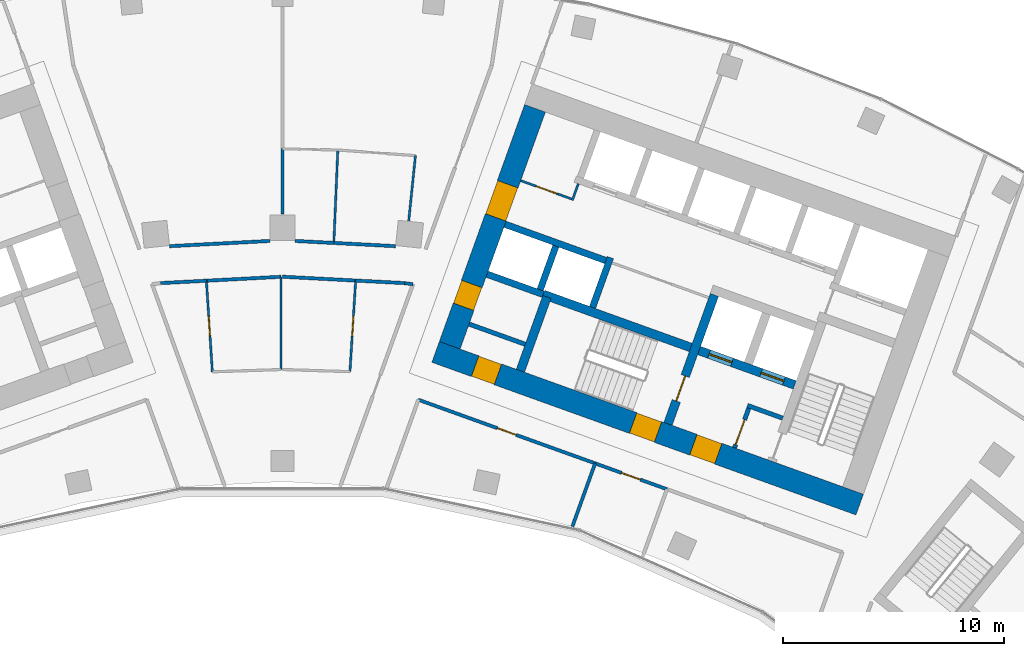
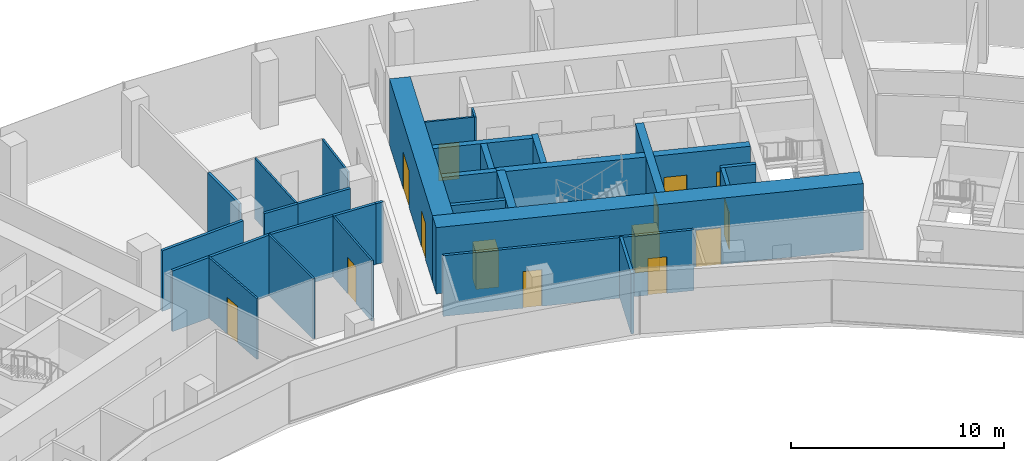
# One storey, part 13 of 18: 31 walls, 14 doors, 14 openings.
"""IFC4 building model written with IfcOpenShell, lengths in metres."""

from ifc_helpers import new_model, si_unit, direction, frame, frame_2d, origin, place, context, subcontext, project, spatial, rectangle, extrude, material, layer, layer_set, type_object, element, fill, save


model = new_model("IFC4")

# Units and contexts
model_context = context("Model", 3, precision=1e-05, world=origin(), true_north=direction((0.0, 1.0)))
body_context = subcontext(model_context, "Body", "Model", "MODEL_VIEW")
ifc_project = project(units=[si_unit("LENGTHUNIT", "METRE"), si_unit("AREAUNIT", "SQUARE_METRE"), si_unit("VOLUMEUNIT", "CUBIC_METRE"), si_unit("PLANEANGLEUNIT", "RADIAN"), si_unit("MASSUNIT", "GRAM", prefix="KILO")], contexts=[model_context])

# Site, building, storey
site_placement = place(None, origin())
site = spatial("IfcSite", under=ifc_project, at=site_placement, CompositionType="ELEMENT")
building_placement = place(site_placement, origin())
building = spatial("IfcBuilding", under=site, at=building_placement, Name="Stone Belt Terrace Tower", CompositionType="ELEMENT")
storey_placement = place(building_placement, frame((0.0, 0.0, 239.0)))
storey = spatial("IfcBuildingStorey", under=building, at=storey_placement, Name="L58", CompositionType="ELEMENT", Elevation=239.0)

# Wall
ifc_material_1 = material(Name="Plasterboard partition")
ifc_layer_1 = layer(ifc_material_1, 0.10009765625)
ifc_layer_set_1 = layer_set([ifc_layer_1], Name="Core partition 100")
wall_type_1 = type_object("IfcWallType", Name="Core partition 100", PredefinedType="PARTITIONING", material=ifc_layer_set_1)
wall_1_placement = place(storey_placement, frame((13.115966796875, 56.230712890625, 0.0), z_axis=(0.0, 0.0, 1.0), x_axis=(0.338481684961, 0.940972979923, 0.0)))
element("IfcWall", 1, at=wall_1_placement, inside=storey, type_object=wall_type_1, Name="Core B wall", PredefinedType="PARTITIONING", context=body_context, shape_type="SweptSolid", body=[
    extrude(rectangle(XDim=0.7998046875, YDim=0.10009765625, at=frame_2d((0.39990234375, 0.0))), origin(), (0.0, 0.0, 1.0), 3.47998046875),
])

# Wall, opening, door
wall_2_placement = place(storey_placement, frame((13.085693359375, 56.294677734375, 0.0), z_axis=(0.0, 0.0, 1.0), x_axis=(-0.940922976849, 0.338620660383, 0.0)))
wall_2 = element("IfcWall", 2, at=wall_2_placement, inside=storey, type_object=wall_type_1, Name="Core B wall", PredefinedType="PARTITIONING", context=body_context, shape_type="SweptSolid", body=[
    extrude(rectangle(XDim=2.449951171875, YDim=0.10009765625, at=frame_2d((1.22509765625, 0.0))), origin(), (0.0, 0.0, 1.0), 3.47998046875),
])
opening_1_placement = place(wall_2_placement, frame((0.699951171875, 0.0, 0.0)))
opening_1 = element("IfcOpeningElement", 3, at=opening_1_placement, cuts=wall_2, Name="Opening L58-C12", PredefinedType="OPENING", context=body_context, shape_type="SweptSolid", body=[
    extrude(rectangle(XDim=1.0, YDim=2.10009765625, at=frame_2d((0.5, 1.050048828125))), frame((0.0, 0.06005859375, 0.0), z_axis=(0.0, -1.0, 0.0), x_axis=(1.0, 0.0, 0.0)), (0.0, 0.0, 1.0), 0.1201171875),
])
ifc_material_2 = material(Name="Timber door leaf", Category="wood")
door_type_1 = type_object("IfcDoorType", Name="Core room door 1000", OperationType="SINGLE_SWING_LEFT", PredefinedType="DOOR", material=ifc_material_2)
door_1_placement = place(opening_1_placement, origin())
door_1 = element("IfcDoor", 4, at=door_1_placement, inside=storey, type_object=door_type_1, Name="Door to Communications hub room core B", OperationType="SINGLE_SWING_LEFT", OverallHeight=2.10009765625, OverallWidth=1.0, PredefinedType="DOOR", context=body_context, shape_type="SweptSolid", body=[
    extrude(rectangle(XDim=1.0, YDim=2.10009765625, at=frame_2d((0.5, 1.050048828125))), frame((0.0, 0.02490234375, 0.0), z_axis=(0.0, -1.0, 0.0), x_axis=(1.0, 0.0, 0.0)), (0.0, 0.0, 1.0), 0.050048828125),
])
fill(opening_1, door_1)

# Wall, openings, doors
ifc_material_3 = material(Name="Concrete B60", Category="concrete")
ifc_layer_2 = layer(ifc_material_3, 1.0)
ifc_layer_set_2 = layer_set([ifc_layer_2], Name="Core wall 1000 B60")
wall_type_2 = type_object("IfcWallType", Name="Core wall 1000 B60", PredefinedType="SHEAR", material=ifc_layer_set_2)
wall_3_placement = place(storey_placement, frame((6.927490234375, 49.370849609375, 0.0), z_axis=(0.0, 0.0, 1.0), x_axis=(0.940921428504, -0.338624962727, 0.0)))
wall_3 = element("IfcWall", 5, at=wall_3_placement, inside=storey, type_object=wall_type_2, Name="Core B wall concave L58", PredefinedType="SHEAR", context=body_context, shape_type="SweptSolid", body=[
    extrude(rectangle(XDim=20.400146484375, YDim=1.0, at=frame_2d((10.2001953125, 0.0))), origin(), (0.0, 0.0, 1.0), 3.800048828125),
])
opening_2_placement = place(wall_3_placement, frame((12.39990234375, 0.0, 0.0)))
opening_2 = element("IfcOpeningElement", 6, at=opening_2_placement, cuts=wall_3, Name="Opening L58-C18", PredefinedType="OPENING", context=body_context, shape_type="SweptSolid", body=[
    extrude(rectangle(XDim=1.199951171875, YDim=2.10009765625, at=frame_2d((0.60009765625, 1.050048828125))), frame((0.0, 0.510009765625, 0.0), z_axis=(0.0, -1.0, 0.0), x_axis=(1.0, 0.0, 0.0)), (0.0, 0.0, 1.0), 1.02001953125),
])
opening_3_placement = place(wall_3_placement, frame((9.5, 0.0, 0.0)))
opening_3 = element("IfcOpeningElement", 7, at=opening_3_placement, cuts=wall_3, Name="Opening L58-C20", PredefinedType="OPENING", context=body_context, shape_type="SweptSolid", body=[
    extrude(rectangle(XDim=1.199951171875, YDim=2.10009765625, at=frame_2d((0.60009765625, 1.050048828125))), frame((0.0, 0.510009765625, 0.0), z_axis=(0.0, -1.0, 0.0), x_axis=(1.0, 0.0, 0.0)), (0.0, 0.0, 1.0), 1.02001953125),
])
opening_4_placement = place(wall_3_placement, frame((1.89990234375, 0.0, 0.0)))
opening_4 = element("IfcOpeningElement", 8, at=opening_4_placement, cuts=wall_3, Name="Opening L58-C22", PredefinedType="OPENING", context=body_context, shape_type="SweptSolid", body=[
    extrude(rectangle(XDim=1.10009765625, YDim=2.10009765625, at=frame_2d((0.550048828125, 1.050048828125))), frame((0.0, 0.510009765625, 0.0), z_axis=(0.0, -1.0, 0.0), x_axis=(1.0, 0.0, 0.0)), (0.0, 0.0, 1.0), 1.02001953125),
])
door_type_2 = type_object("IfcDoorType", Name="Core room door 1100", OperationType="SINGLE_SWING_LEFT", PredefinedType="DOOR", material=ifc_material_2)
door_2_placement = place(opening_4_placement, origin())
door_2 = element("IfcDoor", 9, at=door_2_placement, inside=storey, type_object=door_type_2, Name="Door to Pipe riser core B", OperationType="SINGLE_SWING_LEFT", OverallHeight=2.10009765625, OverallWidth=1.10009765625, PredefinedType="DOOR", context=body_context, shape_type="SweptSolid", body=[
    extrude(rectangle(XDim=1.10009765625, YDim=2.10009765625, at=frame_2d((0.550048828125, 1.050048828125))), frame((0.0, 0.47998046875, 0.0), z_axis=(0.0, -1.0, 0.0), x_axis=(1.0, 0.0, 0.0)), (0.0, 0.0, 1.0), 0.9599609375),
])
fill(opening_4, door_2)
ifc_material_4 = material(Name="Steel door leaf", Category="steel")
door_type_3 = type_object("IfcDoorType", Name="Fire-fighting lobby door 1200", OperationType="SINGLE_SWING_LEFT", PredefinedType="DOOR", material=ifc_material_4)
door_3_placement = place(opening_2_placement, origin())
door_3 = element("IfcDoor", 10, at=door_3_placement, inside=storey, type_object=door_type_3, Name="Fire-fighting lobby door core B", OperationType="SINGLE_SWING_LEFT", OverallHeight=2.10009765625, OverallWidth=1.199951171875, PredefinedType="DOOR", context=body_context, shape_type="SweptSolid", body=[
    extrude(rectangle(XDim=1.199951171875, YDim=2.10009765625, at=frame_2d((0.60009765625, 1.050048828125))), frame((0.0, 0.47998046875, 0.0), z_axis=(0.0, -1.0, 0.0), x_axis=(1.0, 0.0, 0.0)), (0.0, 0.0, 1.0), 0.9599609375),
])
fill(opening_2, door_3)
door_type_4 = type_object("IfcDoorType", Name="Stair door 1200", OperationType="SINGLE_SWING_LEFT", PredefinedType="DOOR", material=ifc_material_4)
door_4_placement = place(opening_3_placement, origin())
door_4 = element("IfcDoor", 11, at=door_4_placement, inside=storey, type_object=door_type_4, Name="Stair 2 exit door core B", OperationType="SINGLE_SWING_RIGHT", OverallHeight=2.10009765625, OverallWidth=1.199951171875, PredefinedType="DOOR", context=body_context, shape_type="SweptSolid", body=[
    extrude(rectangle(XDim=1.199951171875, YDim=2.10009765625, at=frame_2d((0.60009765625, 1.050048828125))), frame((0.0, 0.47998046875, 0.0), z_axis=(0.0, -1.0, 0.0), x_axis=(1.0, 0.0, 0.0)), (0.0, 0.0, 1.0), 0.9599609375),
])
fill(opening_3, door_4)

wall_4_placement = place(storey_placement, frame((7.567138671875, 49.672119140625, 0.0), z_axis=(0.0, 0.0, 1.0), x_axis=(0.338625431531, 0.940921259788, 0.0)))
wall_4 = element("IfcWall", 12, at=wall_4_placement, inside=storey, type_object=wall_type_2, Name="Core B wall end_a L58", PredefinedType="SHEAR", context=body_context, shape_type="SweptSolid", body=[
    extrude(rectangle(XDim=11.400146484375, YDim=1.0, at=frame_2d((5.7001953125, 0.0))), origin(), (0.0, 0.0, 1.0), 3.800048828125),
])
opening_5_placement = place(wall_4_placement, frame((6.14990234375, 0.0, 0.0)))
opening_5 = element("IfcOpeningElement", 13, at=opening_5_placement, cuts=wall_4, Name="Opening L58-C15", PredefinedType="OPENING", context=body_context, shape_type="SweptSolid", body=[
    extrude(rectangle(XDim=1.60009765625, YDim=2.10009765625, at=frame_2d((0.800048828125, 1.050048828125))), frame((0.0, 0.510009765625, 0.0), z_axis=(0.0, -1.0, 0.0), x_axis=(1.0, 0.0, 0.0)), (0.0, 0.0, 1.0), 1.02001953125),
])
opening_6_placement = place(wall_4_placement, frame((1.85009765625, 0.0, 0.0)))
opening_6 = element("IfcOpeningElement", 14, at=opening_6_placement, cuts=wall_4, Name="Opening L58-C21", PredefinedType="OPENING", context=body_context, shape_type="SweptSolid", body=[
    extrude(rectangle(XDim=1.10009765625, YDim=2.10009765625, at=frame_2d((0.550048828125, 1.050048828125))), frame((0.0, 0.510009765625, 0.0), z_axis=(0.0, -1.0, 0.0), x_axis=(1.0, 0.0, 0.0)), (0.0, 0.0, 1.0), 1.02001953125),
])
door_5_placement = place(opening_6_placement, origin())
door_5 = element("IfcDoor", 15, at=door_5_placement, inside=storey, type_object=door_type_2, Name="Door to Accessible WC core B", OperationType="SINGLE_SWING_RIGHT", OverallHeight=2.10009765625, OverallWidth=1.10009765625, PredefinedType="DOOR", context=body_context, shape_type="SweptSolid", body=[
    extrude(rectangle(XDim=1.10009765625, YDim=2.10009765625, at=frame_2d((0.550048828125, 1.050048828125))), frame((0.0, 0.47998046875, 0.0), z_axis=(0.0, -1.0, 0.0), x_axis=(1.0, 0.0, 0.0)), (0.0, 0.0, 1.0), 0.9599609375),
])
fill(opening_6, door_5)
ifc_material_5 = material(Name="Glazed aluminium door leaf", Category="aluminium")
door_type_5 = type_object("IfcDoorType", Name="Lift lobby entrance door 1600", OperationType="DOUBLE_DOOR_SINGLE_SWING", PredefinedType="DOOR", material=ifc_material_5)
door_6_placement = place(opening_5_placement, origin())
door_6 = element("IfcDoor", 16, at=door_6_placement, inside=storey, type_object=door_type_5, Name="Lift lobby entrance door core B", OperationType="DOUBLE_DOOR_SINGLE_SWING", OverallHeight=2.10009765625, OverallWidth=1.60009765625, PredefinedType="DOOR", context=body_context, shape_type="SweptSolid", body=[
    extrude(rectangle(XDim=1.60009765625, YDim=2.10009765625, at=frame_2d((0.800048828125, 1.050048828125))), frame((0.0, 0.47998046875, 0.0), z_axis=(0.0, -1.0, 0.0), x_axis=(1.0, 0.0, 0.0)), (0.0, 0.0, 1.0), 0.9599609375),
])
fill(opening_5, door_6)

# Walls
ifc_material_6 = material(Name="Concrete B80", Category="concrete")
ifc_layer_3 = layer(ifc_material_6, 0.300048828125)
ifc_layer_set_3 = layer_set([ifc_layer_3], Name="Lift shaft wall 300")
wall_type_3 = type_object("IfcWallType", Name="Lift shaft wall 300", PredefinedType="SHEAR", material=ifc_layer_set_3)
wall_5_placement = place(storey_placement, frame((14.029052734375, 51.38525390625, 0.0), z_axis=(0.0, 0.0, 1.0), x_axis=(0.338661829791, 0.940908159728, 0.0)))
element("IfcWall", 17, at=wall_5_placement, inside=storey, type_object=wall_type_3, Name="Core B wall", PredefinedType="SHEAR", context=body_context, shape_type="SweptSolid", body=[
    extrude(rectangle(XDim=2.39990234375, YDim=0.300048828125, at=frame_2d((1.199951171875, 0.0))), origin(), (0.0, 0.0, 1.0), 3.47998046875),
])
wall_6_placement = place(storey_placement, frame((14.6328125, 53.506103515625, 0.0), z_axis=(0.0, 0.0, 1.0), x_axis=(-0.940931684323, 0.338596464007, 0.0)))
element("IfcWall", 18, at=wall_6_placement, inside=storey, type_object=wall_type_3, Name="Core B wall", PredefinedType="SHEAR", context=body_context, shape_type="SweptSolid", body=[
    extrude(rectangle(XDim=4.849609375, YDim=0.300048828125, at=frame_2d((2.4248046875, 0.0))), origin(), (0.0, 0.0, 1.0), 3.47998046875),
])
wall_7_placement = place(storey_placement, frame((11.797119140625, 51.975830078125, 0.0), z_axis=(0.0, 0.0, 1.0), x_axis=(-0.940910465161, 0.33865542451, 0.0)))
element("IfcWall", 19, at=wall_7_placement, inside=storey, type_object=wall_type_3, Name="Core B wall", PredefinedType="SHEAR", context=body_context, shape_type="SweptSolid", body=[
    extrude(rectangle(XDim=2.69970703125, YDim=0.300048828125, at=frame_2d((1.349853515625, 0.0))), origin(), (0.0, 0.0, 1.0), 3.47998046875),
])
wall_8_placement = place(storey_placement, frame((11.659912109375, 52.184814453125, 0.0), z_axis=(0.0, 0.0, 1.0), x_axis=(0.338670064856, 0.940905195634, 0.0)))
element("IfcWall", 20, at=wall_8_placement, inside=storey, type_object=wall_type_3, Name="Core B wall", PredefinedType="SHEAR", context=body_context, shape_type="SweptSolid", body=[
    extrude(rectangle(XDim=2.099853515625, YDim=0.300048828125, at=frame_2d((1.0498046875, 0.0))), origin(), (0.0, 0.0, 1.0), 3.47998046875),
])

# Wall, opening, door
ifc_material_7 = material(Name="Gypsum board partition")
ifc_layer_4 = layer(ifc_material_7, 0.10009765625)
ifc_layer_set_4 = layer_set([ifc_layer_4], Name="PARTITION 100")
wall_type_4 = type_object("IfcWallType", Name="PARTITION 100", PredefinedType="PARTITIONING", material=ifc_layer_set_4)
wall_9_placement = place(storey_placement, frame((-3.446044921875, 52.593994140625, 0.0), z_axis=(0.0, 0.0, 1.0), x_axis=(0.06535029592, -0.997862384712, 0.0)))
wall_9 = element("IfcWall", 21, at=wall_9_placement, inside=storey, type_object=wall_type_4, Name="L58/wall/i071", PredefinedType="PARTITIONING", context=body_context, shape_type="SweptSolid", body=[
    extrude(rectangle(XDim=4.1318359375, YDim=0.10009765625, at=frame_2d((2.06591796875, 0.0))), origin(), (0.0, 0.0, 1.0), 3.47998046875),
])
opening_7_placement = place(wall_9_placement, frame((1.615966796875, 0.0, 0.0)))
opening_7 = element("IfcOpeningElement", 22, at=opening_7_placement, cuts=wall_9, Name="Opening D-D5-22", PredefinedType="OPENING", context=body_context, shape_type="SweptSolid", body=[
    extrude(rectangle(XDim=0.89990234375, YDim=2.10009765625, at=frame_2d((0.449951171875, 1.050048828125))), frame((0.0, 0.06005859375, 0.0), z_axis=(0.0, -1.0, 0.0), x_axis=(1.0, 0.0, 0.0)), (0.0, 0.0, 1.0), 0.1201171875),
])
door_type_6 = type_object("IfcDoorType", Name="OFFICE DOOR 900 X 2100", OperationType="NOTDEFINED", PredefinedType="DOOR", material=ifc_material_2)
door_7_placement = place(opening_7_placement, origin())
door_7 = element("IfcDoor", 23, at=door_7_placement, inside=storey, type_object=door_type_6, Name="L58/door/i22", OperationType="SINGLE_SWING_RIGHT", OverallHeight=2.10009765625, OverallWidth=0.89990234375, PredefinedType="DOOR", context=body_context, shape_type="SweptSolid", body=[
    extrude(rectangle(XDim=0.89990234375, YDim=2.10009765625, at=frame_2d((0.449951171875, 1.050048828125))), frame((0.0, 0.02490234375, 0.0), z_axis=(0.0, -1.0, 0.0), x_axis=(1.0, 0.0, 0.0)), (0.0, 0.0, 1.0), 0.050048828125),
])
fill(opening_7, door_7)

wall_10_placement = place(storey_placement, frame((3.051025390625, 48.47900390625, 0.0), z_axis=(0.0, 0.0, 1.0), x_axis=(0.06270205235, 0.998032290375, 0.0)))
wall_10 = element("IfcWall", 24, at=wall_10_placement, inside=storey, type_object=wall_type_4, Name="L58/wall/i074", PredefinedType="PARTITIONING", context=body_context, shape_type="SweptSolid", body=[
    extrude(rectangle(XDim=4.131103515625, YDim=0.10009765625, at=frame_2d((2.0654296875, 0.0))), origin(), (0.0, 0.0, 1.0), 3.47998046875),
])
opening_8_placement = place(wall_10_placement, frame((1.615478515625, 0.0, 0.0)))
opening_8 = element("IfcOpeningElement", 25, at=opening_8_placement, cuts=wall_10, Name="Opening D-D5-23", PredefinedType="OPENING", context=body_context, shape_type="SweptSolid", body=[
    extrude(rectangle(XDim=0.89990234375, YDim=2.10009765625, at=frame_2d((0.449951171875, 1.050048828125))), frame((0.0, 0.06005859375, 0.0), z_axis=(0.0, -1.0, 0.0), x_axis=(1.0, 0.0, 0.0)), (0.0, 0.0, 1.0), 0.1201171875),
])
door_8_placement = place(opening_8_placement, origin())
door_8 = element("IfcDoor", 26, at=door_8_placement, inside=storey, type_object=door_type_6, Name="L58/door/i23", OperationType="SINGLE_SWING_RIGHT", OverallHeight=2.10009765625, OverallWidth=0.89990234375, PredefinedType="DOOR", context=body_context, shape_type="SweptSolid", body=[
    extrude(rectangle(XDim=0.89990234375, YDim=2.10009765625, at=frame_2d((0.449951171875, 1.050048828125))), frame((0.0, 0.02490234375, 0.0), z_axis=(0.0, -1.0, 0.0), x_axis=(1.0, 0.0, 0.0)), (0.0, 0.0, 1.0), 0.050048828125),
])
fill(opening_8, door_8)

# Walls
wall_11_placement = place(storey_placement, frame((-0.068115234375, 52.77099609375, 0.0), z_axis=(0.0, 0.0, 1.0), x_axis=(0.001221852815, -0.999999253538, 0.0)))
element("IfcWall", 27, at=wall_11_placement, inside=storey, type_object=wall_type_4, Name="L58/wall/i075", PredefinedType="PARTITIONING", context=body_context, shape_type="SweptSolid", body=[
    extrude(rectangle(XDim=4.196044921875, YDim=0.10009765625, at=frame_2d((2.09814453125, 0.0))), origin(), (0.0, 0.0, 1.0), 3.47998046875),
])
wall_12_placement = place(storey_placement, frame((5.7119140625, 55.31103515625, 0.0), z_axis=(0.0, 0.0, 1.0), x_axis=(0.102786571423, 0.99470343356, 0.0)))
element("IfcWall", 28, at=wall_12_placement, inside=storey, type_object=wall_type_4, Name="L58/wall/i080", PredefinedType="PARTITIONING", context=body_context, shape_type="SweptSolid", body=[
    extrude(rectangle(XDim=2.95947265625, YDim=0.10009765625, at=frame_2d((1.479736328125, 0.0))), origin(), (0.0, 0.0, 1.0), 3.47998046875),
])
wall_13_placement = place(storey_placement, frame((2.501953125, 58.510986328125, 0.0), z_axis=(0.0, 0.0, 1.0), x_axis=(-0.042720304675, -0.999087071065, 0.0)))
element("IfcWall", 29, at=wall_13_placement, inside=storey, type_object=wall_type_4, Name="L58/wall/i082", PredefinedType="PARTITIONING", context=body_context, shape_type="SweptSolid", body=[
    extrude(rectangle(XDim=4.2119140625, YDim=0.10009765625, at=frame_2d((2.10595703125, 0.0))), origin(), (0.0, 0.0, 1.0), 3.47998046875),
])

# Wall, opening, door
ifc_layer_5 = layer(ifc_material_7, 0.14990234375)
ifc_layer_set_5 = layer_set([ifc_layer_5], Name="PARTITION 150 EI 60")
wall_type_5 = type_object("IfcWallType", Name="PARTITION 150 EI 60", PredefinedType="PARTITIONING", material=ifc_layer_set_5)
wall_14_placement = place(storey_placement, frame((14.154052734375, 44.325927734375, 0.0), z_axis=(0.0, 0.0, 1.0), x_axis=(-0.940915210551, 0.338642239767, 0.0)))
wall_14 = element("IfcWall", 30, at=wall_14_placement, inside=storey, type_object=wall_type_5, Name="L58/wall/i028", PredefinedType="PARTITIONING", context=body_context, shape_type="SweptSolid", body=[
    extrude(rectangle(XDim=8.5078125, YDim=0.14990234375, at=frame_2d((4.25390625, 0.0))), origin(), (0.0, 0.0, 1.0), 3.47998046875),
])
opening_9_placement = place(wall_14_placement, frame((3.8037109375, 0.0, 0.0)))
opening_9 = element("IfcOpeningElement", 31, at=opening_9_placement, cuts=wall_14, Name="Opening D-D5-06", PredefinedType="OPENING", context=body_context, shape_type="SweptSolid", body=[
    extrude(rectangle(XDim=0.89990234375, YDim=2.10009765625, at=frame_2d((0.449951171875, 1.050048828125))), frame((0.0, 0.0849609375, 0.0), z_axis=(0.0, -1.0, 0.0), x_axis=(1.0, 0.0, 0.0)), (0.0, 0.0, 1.0), 0.169921875),
])
door_9_placement = place(opening_9_placement, origin())
door_9 = element("IfcDoor", 32, at=door_9_placement, inside=storey, type_object=door_type_6, Name="L58/door/i06", OperationType="SINGLE_SWING_RIGHT", OverallHeight=2.10009765625, OverallWidth=0.89990234375, PredefinedType="DOOR", context=body_context, shape_type="SweptSolid", body=[
    extrude(rectangle(XDim=0.89990234375, YDim=2.10009765625, at=frame_2d((0.449951171875, 1.050048828125))), frame((0.0, 0.02490234375, 0.0), z_axis=(0.0, -1.0, 0.0), x_axis=(1.0, 0.0, 0.0)), (0.0, 0.0, 1.0), 0.050048828125),
])
fill(opening_9, door_9)

wall_15_placement = place(storey_placement, frame((17.404052734375, 43.156005859375, 0.0), z_axis=(0.0, 0.0, 1.0), x_axis=(-0.94090895552, 0.338659618823, 0.0)))
wall_15 = element("IfcWall", 33, at=wall_15_placement, inside=storey, type_object=wall_type_5, Name="L58/wall/i029", PredefinedType="PARTITIONING", context=body_context, shape_type="SweptSolid", body=[
    extrude(rectangle(XDim=3.466796875, YDim=0.14990234375, at=frame_2d((1.7333984375, 0.0))), origin(), (0.0, 0.0, 1.0), 3.47998046875),
])
opening_10_placement = place(wall_15_placement, frame((1.283447265625, 0.0, 0.0)))
opening_10 = element("IfcOpeningElement", 34, at=opening_10_placement, cuts=wall_15, Name="Opening D-D5-07", PredefinedType="OPENING", context=body_context, shape_type="SweptSolid", body=[
    extrude(rectangle(XDim=0.89990234375, YDim=2.10009765625, at=frame_2d((0.449951171875, 1.050048828125))), frame((0.0, 0.0849609375, 0.0), z_axis=(0.0, -1.0, 0.0), x_axis=(1.0, 0.0, 0.0)), (0.0, 0.0, 1.0), 0.169921875),
])
door_10_placement = place(opening_10_placement, origin())
door_10 = element("IfcDoor", 35, at=door_10_placement, inside=storey, type_object=door_type_6, Name="L58/door/i07", OperationType="SINGLE_SWING_RIGHT", OverallHeight=2.10009765625, OverallWidth=0.89990234375, PredefinedType="DOOR", context=body_context, shape_type="SweptSolid", body=[
    extrude(rectangle(XDim=0.89990234375, YDim=2.10009765625, at=frame_2d((0.449951171875, 1.050048828125))), frame((0.0, 0.02490234375, 0.0), z_axis=(0.0, -1.0, 0.0), x_axis=(1.0, 0.0, 0.0)), (0.0, 0.0, 1.0), 0.050048828125),
])
fill(opening_10, door_10)

# Walls
wall_16_placement = place(storey_placement, frame((14.14794921875, 44.327880859375, 0.0), z_axis=(0.0, 0.0, 1.0), x_axis=(-0.338693950251, -0.940896597966, 0.0)))
element("IfcWall", 36, at=wall_16_placement, inside=storey, type_object=wall_type_5, Name="L58/wall/i031", PredefinedType="PARTITIONING", context=body_context, shape_type="SweptSolid", body=[
    extrude(rectangle(XDim=3.049072265625, YDim=0.14990234375, at=frame_2d((1.5244140625, 0.0))), origin(), (0.0, 0.0, 1.0), 3.47998046875),
])
wall_17_placement = place(storey_placement, frame((-3.43994140625, 52.594970703125, 0.0), z_axis=(0.0, 0.0, 1.0), x_axis=(-0.99862754401, -0.052373928108, 0.0)))
element("IfcWall", 37, at=wall_17_placement, inside=storey, type_object=wall_type_5, Name="L58/wall/i062", PredefinedType="PARTITIONING", context=body_context, shape_type="SweptSolid", body=[
    extrude(rectangle(XDim=2.0791015625, YDim=0.14990234375, at=frame_2d((1.03955078125, 0.0))), origin(), (0.0, 0.0, 1.0), 3.47998046875),
])
wall_18_placement = place(storey_placement, frame((5.904052734375, 52.43603515625, 0.0), z_axis=(0.0, 0.0, 1.0), x_axis=(-0.991780421826, 0.127951533338, 0.0)))
element("IfcWall", 38, at=wall_18_placement, inside=storey, type_object=wall_type_5, Name="L58/wall/i064", PredefinedType="PARTITIONING", context=body_context, shape_type="SweptSolid", body=[
    extrude(rectangle(XDim=0.39111328125, YDim=0.14990234375, at=frame_2d((0.195556640625, 0.0))), origin(), (0.0, 0.0, 1.0), 3.47998046875),
])
wall_19_placement = place(storey_placement, frame((5.51611328125, 52.486083984375, 0.0), z_axis=(0.0, 0.0, 1.0), x_axis=(-0.998628767905, 0.052350586553, 0.0)))
element("IfcWall", 39, at=wall_19_placement, inside=storey, type_object=wall_type_5, Name="L58/wall/i065", PredefinedType="PARTITIONING", context=body_context, shape_type="SweptSolid", body=[
    extrude(rectangle(XDim=2.215087890625, YDim=0.14990234375, at=frame_2d((1.107421875, 0.0))), origin(), (0.0, 0.0, 1.0), 3.47998046875),
])
wall_20_placement = place(storey_placement, frame((-0.06201171875, 52.77197265625, 0.0), z_axis=(0.0, 0.0, 1.0), x_axis=(-0.998624576106, -0.052430487287, 0.0)))
element("IfcWall", 40, at=wall_20_placement, inside=storey, type_object=wall_type_5, Name="L58/wall/i066", PredefinedType="PARTITIONING", context=body_context, shape_type="SweptSolid", body=[
    extrude(rectangle(XDim=3.39453125, YDim=0.14990234375, at=frame_2d((1.697265625, 0.0))), origin(), (0.0, 0.0, 1.0), 3.47998046875),
])
wall_21_placement = place(storey_placement, frame((3.31591796875, 52.60107421875, 0.0), z_axis=(0.0, 0.0, 1.0), x_axis=(-0.998628775541, 0.052350440891, 0.0)))
element("IfcWall", 41, at=wall_21_placement, inside=storey, type_object=wall_type_5, Name="L58/wall/i067", PredefinedType="PARTITIONING", context=body_context, shape_type="SweptSolid", body=[
    extrude(rectangle(XDim=3.320556640625, YDim=0.14990234375, at=frame_2d((1.66015625, 0.0))), origin(), (0.0, 0.0, 1.0), 3.47998046875),
])
wall_22_placement = place(storey_placement, frame((-5.114013671875, 54.1572265625, 0.0), z_axis=(0.0, 0.0, 1.0), x_axis=(0.998631882583, 0.052291137769, 0.0)))
element("IfcWall", 42, at=wall_22_placement, inside=storey, type_object=wall_type_5, Name="L58/wall/i068", PredefinedType="PARTITIONING", context=body_context, shape_type="SweptSolid", body=[
    extrude(rectangle(XDim=4.54736328125, YDim=0.14990234375, at=frame_2d((2.273681640625, 0.0))), origin(), (0.0, 0.0, 1.0), 3.47998046875),
])
wall_23_placement = place(storey_placement, frame((0.572509765625, 54.39501953125, 0.0), z_axis=(0.0, 0.0, 1.0), x_axis=(0.998628169228, -0.052362005535, 0.0)))
element("IfcWall", 43, at=wall_23_placement, inside=storey, type_object=wall_type_5, Name="L58/wall/i069", PredefinedType="PARTITIONING", context=body_context, shape_type="SweptSolid", body=[
    extrude(rectangle(XDim=1.7578125, YDim=0.14990234375, at=frame_2d((0.87890625, 0.0))), origin(), (0.0, 0.0, 1.0), 3.47998046875),
])
wall_24_placement = place(storey_placement, frame((2.31591796875, 54.303955078125, 0.0), z_axis=(0.0, 0.0, 1.0), x_axis=(0.998631042992, -0.052307169428, 0.0)))
element("IfcWall", 44, at=wall_24_placement, inside=storey, type_object=wall_type_5, Name="L58/wall/i070", PredefinedType="PARTITIONING", context=body_context, shape_type="SweptSolid", body=[
    extrude(rectangle(XDim=2.800537109375, YDim=0.14990234375, at=frame_2d((1.400390625, 0.0))), origin(), (0.0, 0.0, 1.0), 3.47998046875),
])
wall_25_placement = place(storey_placement, frame((0.0, 58.571044921875, 0.0), z_axis=(0.0, 0.0, 1.0), x_axis=(0.0, -1.0, 0.0)))
element("IfcWall", 45, at=wall_25_placement, inside=storey, type_object=wall_type_5, Name="L58/wall/i078", PredefinedType="PARTITIONING", context=body_context, shape_type="SweptSolid", body=[
    extrude(rectangle(XDim=2.966064453125, YDim=0.14990234375, at=frame_2d((1.48291015625, 0.0))), origin(), (0.0, 0.0, 1.0), 3.47998046875),
])
ifc_material_8 = material(Name="Concrete masonry block", Category="masonry")
ifc_layer_6 = layer(ifc_material_8, 0.199951171875)
ifc_layer_set_6 = layer_set([ifc_layer_6], Name="Rated lobby wall 200")
wall_type_6 = type_object("IfcWallType", Name="Rated lobby wall 200", PredefinedType="PARTITIONING", material=ifc_layer_set_6)
wall_26_placement = place(storey_placement, frame((22.640625, 46.373046875, 0.0), z_axis=(0.0, 0.0, 1.0), x_axis=(-0.940966110313, 0.338500781747, 0.0)))
element("IfcWall", 46, at=wall_26_placement, inside=storey, type_object=wall_type_6, Name="Core B wall", PredefinedType="PARTITIONING", context=body_context, shape_type="SweptSolid", body=[
    extrude(rectangle(XDim=1.699951171875, YDim=0.199951171875, at=frame_2d((0.85009765625, 0.0))), origin(), (0.0, 0.0, 1.0), 3.47998046875),
])

# Wall, opening, door
wall_27_placement = place(storey_placement, frame((20.4580078125, 45.032958984375, 0.0), z_axis=(0.0, 0.0, 1.0), x_axis=(0.338573865316, 0.940939816208, 0.0)))
wall_27 = element("IfcWall", 47, at=wall_27_placement, inside=storey, type_object=wall_type_6, Name="Core B wall", PredefinedType="PARTITIONING", context=body_context, shape_type="SweptSolid", body=[
    extrude(rectangle(XDim=1.900146484375, YDim=0.199951171875, at=frame_2d((0.9501953125, 0.0))), origin(), (0.0, 0.0, 1.0), 3.47998046875),
])
opening_11_placement = place(wall_27_placement, frame((0.14990234375, 0.0, 0.0)))
opening_11 = element("IfcOpeningElement", 48, at=opening_11_placement, cuts=wall_27, Name="Opening L58-C17", PredefinedType="OPENING", context=body_context, shape_type="SweptSolid", body=[
    extrude(rectangle(XDim=1.199951171875, YDim=2.10009765625, at=frame_2d((0.60009765625, 1.050048828125))), frame((0.0, 0.10986328125, 0.0), z_axis=(0.0, -1.0, 0.0), x_axis=(1.0, 0.0, 0.0)), (0.0, 0.0, 1.0), 0.219970703125),
])
door_11_placement = place(opening_11_placement, origin())
door_11 = element("IfcDoor", 49, at=door_11_placement, inside=storey, type_object=door_type_4, Name="Stair airlock door core B", OperationType="SINGLE_SWING_LEFT", OverallHeight=2.10009765625, OverallWidth=1.199951171875, PredefinedType="DOOR", context=body_context, shape_type="SweptSolid", body=[
    extrude(rectangle(XDim=1.199951171875, YDim=2.10009765625, at=frame_2d((0.60009765625, 1.050048828125))), frame((0.0, 0.02490234375, 0.0), z_axis=(0.0, -1.0, 0.0), x_axis=(1.0, 0.0, 0.0)), (0.0, 0.0, 1.0), 0.050048828125),
])
fill(opening_11, door_11)

# Wall
wall_28_placement = place(storey_placement, frame((10.984619140625, 49.717529296875, 0.0), z_axis=(0.0, 0.0, 1.0), x_axis=(-0.940920834877, 0.338626612206, 0.0)))
element("IfcWall", 50, at=wall_28_placement, inside=storey, type_object=wall_type_6, Name="Core B wall", PredefinedType="PARTITIONING", context=body_context, shape_type="SweptSolid", body=[
    extrude(rectangle(XDim=2.699951171875, YDim=0.199951171875, at=frame_2d((1.35009765625, 0.0))), origin(), (0.0, 0.0, 1.0), 3.47998046875),
])

# Wall, openings, doors
ifc_layer_7 = layer(ifc_material_6, 0.39990234375)
ifc_layer_set_7 = layer_set([ifc_layer_7], Name="Stair enclosure wall 400")
wall_type_7 = type_object("IfcWallType", Name="Stair enclosure wall 400", PredefinedType="SHEAR", material=ifc_layer_set_7)
wall_29_placement = place(storey_placement, frame((23.182373046875, 47.87841796875, 0.0), z_axis=(0.0, 0.0, 1.0), x_axis=(-0.940921101762, 0.338625870628, 0.0)))
wall_29 = element("IfcWall", 51, at=wall_29_placement, inside=storey, type_object=wall_type_7, Name="Core B wall", PredefinedType="SHEAR", context=body_context, shape_type="SweptSolid", body=[
    extrude(rectangle(XDim=12.10009765625, YDim=0.39990234375, at=frame_2d((6.050048828125, 0.0))), origin(), (0.0, 0.0, 1.0), 3.47998046875),
])
opening_12_placement = place(wall_29_placement, frame((0.52001953125, 0.0, 0.0)))
opening_12 = element("IfcOpeningElement", 52, at=opening_12_placement, cuts=wall_29, Name="Opening L58-LD14", PredefinedType="OPENING", context=body_context, shape_type="SweptSolid", body=[
    extrude(rectangle(XDim=1.10009765625, YDim=2.199951171875, at=frame_2d((0.550048828125, 1.10009765625))), frame((0.0, 0.2099609375, 0.0), z_axis=(0.0, -1.0, 0.0), x_axis=(1.0, 0.0, 0.0)), (0.0, 0.0, 1.0), 0.419921875),
])
opening_13_placement = place(wall_29_placement, frame((3.02001953125, 0.0, 0.0)))
opening_13 = element("IfcOpeningElement", 53, at=opening_13_placement, cuts=wall_29, Name="Opening L58-LD15", PredefinedType="OPENING", context=body_context, shape_type="SweptSolid", body=[
    extrude(rectangle(XDim=1.10009765625, YDim=2.199951171875, at=frame_2d((0.550048828125, 1.10009765625))), frame((0.0, 0.2099609375, 0.0), z_axis=(0.0, -1.0, 0.0), x_axis=(1.0, 0.0, 0.0)), (0.0, 0.0, 1.0), 0.419921875),
])
ifc_material_9 = material(Name="Stainless steel door leaf", Category="steel")
door_type_7 = type_object("IfcDoorType", Name="Landing door 1100", OperationType="SLIDING_TO_LEFT", PredefinedType="DOOR", material=ifc_material_9)
door_12_placement = place(opening_12_placement, origin())
door_12 = element("IfcDoor", 54, at=door_12_placement, inside=storey, type_object=door_type_7, Name="Landing door FF1 core B", OperationType="SLIDING_TO_LEFT", OverallHeight=2.199951171875, OverallWidth=1.10009765625, PredefinedType="DOOR", context=body_context, shape_type="SweptSolid", body=[
    extrude(rectangle(XDim=1.10009765625, YDim=2.199951171875, at=frame_2d((0.550048828125, 1.10009765625))), frame((0.0, 0.02490234375, 0.0), z_axis=(0.0, -1.0, 0.0), x_axis=(1.0, 0.0, 0.0)), (0.0, 0.0, 1.0), 0.050048828125),
])
fill(opening_12, door_12)
door_13_placement = place(opening_13_placement, origin())
door_13 = element("IfcDoor", 55, at=door_13_placement, inside=storey, type_object=door_type_7, Name="Landing door FF2 core B", OperationType="SLIDING_TO_LEFT", OverallHeight=2.199951171875, OverallWidth=1.10009765625, PredefinedType="DOOR", context=body_context, shape_type="SweptSolid", body=[
    extrude(rectangle(XDim=1.10009765625, YDim=2.199951171875, at=frame_2d((0.550048828125, 1.10009765625))), frame((0.0, 0.02490234375, 0.0), z_axis=(0.0, -1.0, 0.0), x_axis=(1.0, 0.0, 0.0)), (0.0, 0.0, 1.0), 0.050048828125),
])
fill(opening_13, door_13)

# Wall, opening, door
wall_30_placement = place(storey_placement, frame((17.447021484375, 46.116455078125, 0.0), z_axis=(0.0, 0.0, 1.0), x_axis=(0.33860791464, 0.940927563707, 0.0)))
wall_30 = element("IfcWall", 56, at=wall_30_placement, inside=storey, type_object=wall_type_7, Name="Core B wall", PredefinedType="SHEAR", context=body_context, shape_type="SweptSolid", body=[
    extrude(rectangle(XDim=6.199951171875, YDim=0.39990234375, at=frame_2d((3.10009765625, 0.0))), origin(), (0.0, 0.0, 1.0), 3.47998046875),
])
opening_14_placement = place(wall_30_placement, frame((1.10009765625, 0.0, 0.0)))
opening_14 = element("IfcOpeningElement", 57, at=opening_14_placement, cuts=wall_30, Name="Opening L58-C19", PredefinedType="OPENING", context=body_context, shape_type="SweptSolid", body=[
    extrude(rectangle(XDim=1.199951171875, YDim=2.10009765625, at=frame_2d((0.60009765625, 1.050048828125))), frame((0.0, 0.2099609375, 0.0), z_axis=(0.0, -1.0, 0.0), x_axis=(1.0, 0.0, 0.0)), (0.0, 0.0, 1.0), 0.419921875),
])
door_14_placement = place(opening_14_placement, origin())
door_14 = element("IfcDoor", 58, at=door_14_placement, inside=storey, type_object=door_type_4, Name="Stair 2 door core B", OperationType="SINGLE_SWING_LEFT", OverallHeight=2.10009765625, OverallWidth=1.199951171875, PredefinedType="DOOR", context=body_context, shape_type="SweptSolid", body=[
    extrude(rectangle(XDim=1.199951171875, YDim=2.10009765625, at=frame_2d((0.60009765625, 1.050048828125))), frame((0.0, 0.02490234375, 0.0), z_axis=(0.0, -1.0, 0.0), x_axis=(1.0, 0.0, 0.0)), (0.0, 0.0, 1.0), 0.050048828125),
])
fill(opening_14, door_14)

# Wall
wall_31_placement = place(storey_placement, frame((10.766357421875, 48.520751953125, 0.0), z_axis=(0.0, 0.0, 1.0), x_axis=(0.338626928157, 0.94092072117, 0.0)))
element("IfcWall", 59, at=wall_31_placement, inside=storey, type_object=wall_type_7, Name="Core B wall", PredefinedType="SHEAR", context=body_context, shape_type="SweptSolid", body=[
    extrude(rectangle(XDim=3.550048828125, YDim=0.39990234375, at=frame_2d((1.77490234375, 0.0))), origin(), (0.0, 0.0, 1.0), 3.47998046875),
])

save(model, "model.ifc")
